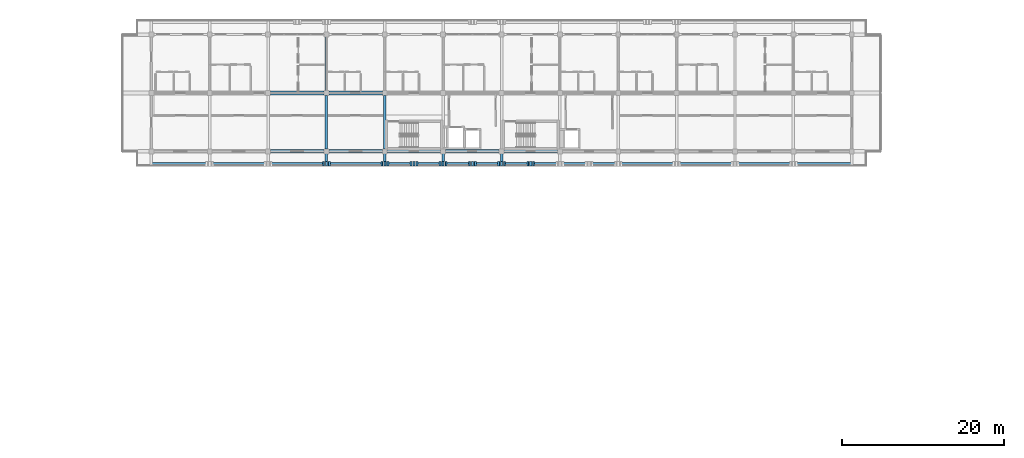
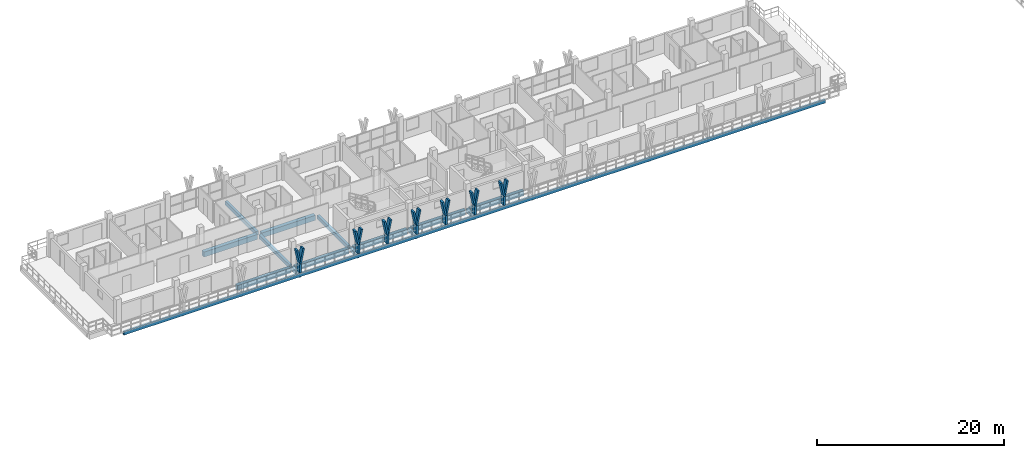
# One storey, part 10 of 65: 21 members, 15 beams.
"""IFC4 building model written with IfcOpenShell, lengths in metres."""

from ifc_helpers import new_model, si_unit, direction, frame, origin, origin_2d, place, context, subcontext, project, spatial, rectangle, extrude, material, material_profile, profile_set, type_object, element, save


model = new_model("IFC4")

# Units and contexts
model_context = context("Model", 3, precision=1e-05, world=origin(), true_north=direction((0.0, 1.0)))
body_context = subcontext(model_context, "Body", "Model", "MODEL_VIEW")
ifc_project = project(units=[si_unit("LENGTHUNIT", "METRE"), si_unit("AREAUNIT", "SQUARE_METRE"), si_unit("VOLUMEUNIT", "CUBIC_METRE"), si_unit("PLANEANGLEUNIT", "RADIAN"), si_unit("MASSUNIT", "GRAM", prefix="KILO")], contexts=[model_context])

# Site, building, storey
site_placement = place(None, origin())
site = spatial("IfcSite", under=ifc_project, at=site_placement, CompositionType="ELEMENT")
building_placement = place(site_placement, origin())
building = spatial("IfcBuilding", under=site, at=building_placement, Name="Suanplinth Sawtooth Commons", CompositionType="ELEMENT")
storey_placement = place(building_placement, frame((0.0, 0.0, 28.300048828125)))
storey = spatial("IfcBuildingStorey", under=building, at=storey_placement, Name="L08", CompositionType="ELEMENT", Elevation=28.300048828125)

# Beams
ifc_material_1 = material(Name="Precast concrete C40/50", Category="concrete")
ifc_material_profile_1 = material_profile(ifc_material_1, rectangle(XDim=0.449951171875, YDim=0.64990234375, at=origin_2d()), Name="PC-GDR 450x650")
ifc_profile_set_1 = profile_set([ifc_material_profile_1], Name="Precast concrete C40/50")
beam_type_1 = type_object("IfcBeamType", Name="B-04", PredefinedType="USERDEFINED", material=ifc_profile_set_1)
for number, where, z_axis, x_axis, name in (
    (1, (29.10009765625, 108.0, -0.53515625), (1.0, 0.0, 0.0), (0.0, 1.0, 0.0), "BMX-L08-A-4-15"),
    (2, (29.10009765625, 115.199951171875, -0.53515625), (1.0, 0.0, 0.0), (0.0, 1.0, 0.0), "BMX-L08-A-4-16"),
    (3, (36.300048828125, 108.0, -0.53515625), (1.0, 0.0, 0.0), (0.0, 1.0, 0.0), "BMX-L08-A-5-15"),
    (4, (36.300048828125, 115.199951171875, -0.53515625), (1.0, 0.0, 0.0), (0.0, 1.0, 0.0), "BMX-L08-A-5-16"),
):
    element("IfcBeam", number, at=place(storey_placement, frame(where, z_axis=z_axis, x_axis=x_axis)), inside=storey, type_object=beam_type_1, Name=name, ObjectType="GIRDER", PredefinedType="USERDEFINED", context=body_context, shape_type="SweptSolid", body=[
        extrude(rectangle(XDim=0.449951171875, YDim=0.64990234375, at=origin_2d()), origin(), (0.0, 0.0, 1.0), 6.599853515625),
    ])
for number, where, z_axis, x_axis, name in (
    (5, (43.5, 108.0, -0.53515625), (1.0, 0.0, 0.0), (0.0, 1.0, 0.0), "BMX-L08-A-6-15"),
    (6, (50.699951171875, 108.0, -0.53515625), (1.0, 0.0, 0.0), (0.0, 1.0, 0.0), "BMX-L08-A-7-15"),
    (7, (57.89990234375, 108.0, -0.53515625), (1.0, 0.0, 0.0), (0.0, 1.0, 0.0), "BMX-L08-A-8-15"),
):
    element("IfcBeam", number, at=place(storey_placement, frame(where, z_axis=z_axis, x_axis=x_axis)), inside=storey, type_object=beam_type_1, Name=name, ObjectType="GIRDER", PredefinedType="USERDEFINED", context=body_context, shape_type="SweptSolid", body=[
        extrude(rectangle(XDim=0.449951171875, YDim=0.64990234375, at=origin_2d()), origin(), (0.0, 0.0, 1.0), 6.60009765625),
    ])
ifc_material_profile_2 = material_profile(ifc_material_1, rectangle(XDim=0.300048828125, YDim=0.5, at=origin_2d()), Name="PC-BM 300x500")
ifc_profile_set_2 = profile_set([ifc_material_profile_2], Name="Precast concrete C40/50")
beam_type_2 = type_object("IfcBeamType", Name="B-07", PredefinedType="BEAM", material=ifc_profile_set_2)
beam_1_placement = place(storey_placement, frame((36.0, 108.300048828125, -0.4599609375), z_axis=(0.0, 1.0, 0.0), x_axis=(-1.0, 0.0, 0.0)))
element("IfcBeam", 8, at=beam_1_placement, inside=storey, type_object=beam_type_2, Name="BMY-L08-A-5-15", PredefinedType="BEAM", context=body_context, shape_type="SweptSolid", body=[
    extrude(rectangle(XDim=0.300048828125, YDim=0.5, at=origin_2d()), origin(), (0.0, 0.0, 1.0), 6.599853515625),
])
beam_2_placement = place(storey_placement, frame((36.0, 115.5, -0.4599609375), z_axis=(0.0, 1.0, 0.0), x_axis=(-1.0, 0.0, 0.0)))
element("IfcBeam", 9, at=beam_2_placement, inside=storey, type_object=beam_type_2, Name="BMY-L08-A-5-16", PredefinedType="BEAM", context=body_context, shape_type="SweptSolid", body=[
    extrude(rectangle(XDim=0.300048828125, YDim=0.5, at=origin_2d()), origin(), (0.0, 0.0, 1.0), 6.60009765625),
])
beam_3_placement = place(storey_placement, frame((43.199951171875, 108.300048828125, -0.4599609375), z_axis=(0.0, 1.0, 0.0), x_axis=(-1.0, 0.0, 0.0)))
element("IfcBeam", 10, at=beam_3_placement, inside=storey, type_object=beam_type_2, Name="BMY-L08-A-6-15", PredefinedType="BEAM", context=body_context, shape_type="SweptSolid", body=[
    extrude(rectangle(XDim=0.300048828125, YDim=0.5, at=origin_2d()), origin(), (0.0, 0.0, 1.0), 6.599853515625),
])
for number, where, z_axis, x_axis, name in (
    (11, (36.0, 108.0, -0.429931640625), (0.0, -1.0, 0.0), (1.0, 0.0, 0.0), "Balcony Outrigger L08-A-S-5"),
    (12, (43.199951171875, 108.0, -0.429931640625), (0.0, -1.0, 0.0), (1.0, 0.0, 0.0), "Balcony Outrigger L08-A-S-6"),
    (13, (50.39990234375, 108.0, -0.429931640625), (0.0, -1.0, 0.0), (1.0, 0.0, 0.0), "Balcony Outrigger L08-A-S-7"),
    (14, (57.60009765625, 108.0, -0.429931640625), (0.0, -1.0, 0.0), (1.0, 0.0, 0.0), "Balcony Outrigger L08-A-S-8"),
):
    element("IfcBeam", number, at=place(storey_placement, frame(where, z_axis=z_axis, x_axis=x_axis)), inside=storey, type_object=beam_type_2, Name=name, PredefinedType="BEAM", context=body_context, shape_type="SweptSolid", body=[
        extrude(rectangle(XDim=0.300048828125, YDim=0.5, at=origin_2d()), origin(), (0.0, 0.0, 1.0), 1.639892578125),
    ])
ifc_material_profile_3 = material_profile(ifc_material_1, rectangle(XDim=0.25, YDim=0.449951171875, at=origin_2d()), Name="PC-SP 250x450")
ifc_profile_set_3 = profile_set([ifc_material_profile_3], Name="Precast concrete C40/50")
beam_type_3 = type_object("IfcBeamType", Name="B-09", PredefinedType="SPANDREL", material=ifc_profile_set_3)
beam_4_placement = place(storey_placement, frame((14.25, 106.47998046875, -0.405029296875), z_axis=(1.0, 0.0, 0.0), x_axis=(0.0, 1.0, 0.0)))
element("IfcBeam", 15, at=beam_4_placement, inside=storey, type_object=beam_type_3, Name="Balcony Edge Fascia L08-A-S", PredefinedType="SPANDREL", context=body_context, shape_type="SweptSolid", body=[
    extrude(rectangle(XDim=0.25, YDim=0.449951171875, at=origin_2d()), origin(), (0.0, 0.0, 1.0), 86.699951171875),
])

# Members
ifc_material_2 = material(Name="Pigmented precast concrete C40/50", Category="concrete")
ifc_material_profile_4 = material_profile(ifc_material_2, rectangle(XDim=0.260009765625, YDim=0.550048828125, at=origin_2d()), Name="PC-FIN 260x550")
ifc_profile_set_4 = profile_set([ifc_material_profile_4], Name="Pigmented precast concrete C40/50")
member_type_1 = type_object("IfcMemberType", Name="M-09", PredefinedType="USERDEFINED", material=ifc_profile_set_4)
for number, where, z_axis, x_axis, name in (
    (16, (36.0, 106.47998046875, 0.0), (0.0, 0.0, 1.0), (1.0, 0.0, 0.0), "Y-Blade Stem L08-A-S-09"),
    (17, (43.199951171875, 106.47998046875, 0.0), (0.0, 0.0, 1.0), (1.0, 0.0, 0.0), "Y-Blade Stem L08-A-S-10"),
    (18, (46.800048828125, 106.47998046875, 0.0), (0.0, 0.0, 1.0), (1.0, 0.0, 0.0), "Y-Blade Stem L08-A-S-11"),
    (19, (50.39990234375, 106.47998046875, 0.0), (0.0, 0.0, 1.0), (1.0, 0.0, 0.0), "Y-Blade Stem L08-A-S-12"),
    (20, (54.0, 106.47998046875, 0.0), (0.0, 0.0, 1.0), (1.0, 0.0, 0.0), "Y-Blade Stem L08-A-S-13"),
    (21, (57.60009765625, 106.47998046875, 0.0), (0.0, 0.0, 1.0), (1.0, 0.0, 0.0), "Y-Blade Stem L08-A-S-14"),
    (22, (61.199951171875, 106.47998046875, 0.0), (0.0, 0.0, 1.0), (1.0, 0.0, 0.0), "Y-Blade Stem L08-A-S-15"),
):
    element("IfcMember", number, at=place(storey_placement, frame(where, z_axis=z_axis, x_axis=x_axis)), inside=storey, type_object=member_type_1, Name=name, ObjectType="SHADING FIN", PredefinedType="USERDEFINED", context=body_context, shape_type="SweptSolid", body=[
        extrude(rectangle(XDim=0.260009765625, YDim=0.550048828125, at=origin_2d()), origin(), (0.0, 0.0, 1.0), 1.169921875),
    ])
ifc_material_profile_5 = material_profile(ifc_material_2, rectangle(XDim=0.219970703125, YDim=0.550048828125, at=origin_2d()), Name="PC-FIN 220x550")
ifc_profile_set_5 = profile_set([ifc_material_profile_5], Name="Pigmented precast concrete C40/50")
member_type_2 = type_object("IfcMemberType", Name="M-10", PredefinedType="USERDEFINED", material=ifc_profile_set_5)
for number, where, z_axis, x_axis, name in (
    (23, (36.0, 106.47998046875, 1.1298828125), (-0.196406855569, 0.0, 0.980522486782), (0.980522486782, 0.0, 0.196406855569), "Y-Blade Arm L L08-A-S-09"),
    (24, (36.0, 106.47998046875, 1.1298828125), (0.196406855569, 0.0, 0.980522486782), (-0.980522486782, 0.0, 0.196406855569), "Y-Blade Arm R L08-A-S-09"),
):
    element("IfcMember", number, at=place(storey_placement, frame(where, z_axis=z_axis, x_axis=x_axis)), inside=storey, type_object=member_type_2, Name=name, ObjectType="SHADING FIN", PredefinedType="USERDEFINED", context=body_context, shape_type="SweptSolid", body=[
        extrude(rectangle(XDim=0.219970703125, YDim=0.550048828125, at=origin_2d()), origin(), (0.0, 0.0, 1.0), 1.93798828125),
    ])
member_1_placement = place(storey_placement, frame((43.199951171875, 106.47998046875, 1.1298828125), z_axis=(-0.196285728346, 0.0, 0.980546741796), x_axis=(0.980546741796, 0.0, 0.196285728346)))
element("IfcMember", 25, at=member_1_placement, inside=storey, type_object=member_type_2, Name="Y-Blade Arm L L08-A-S-10", ObjectType="SHADING FIN", PredefinedType="USERDEFINED", context=body_context, shape_type="SweptSolid", body=[
    extrude(rectangle(XDim=0.219970703125, YDim=0.550048828125, at=origin_2d()), origin(), (0.0, 0.0, 1.0), 1.937744140625),
])
for number, where, z_axis, x_axis, name in (
    (26, (43.199951171875, 106.47998046875, 1.1298828125), (0.196406855569, 0.0, 0.980522486782), (-0.980522486782, 0.0, 0.196406855569), "Y-Blade Arm R L08-A-S-10"),
    (27, (46.800048828125, 106.47998046875, 1.1298828125), (-0.196406855569, 0.0, 0.980522486782), (0.980522486782, 0.0, 0.196406855569), "Y-Blade Arm L L08-A-S-11"),
):
    element("IfcMember", number, at=place(storey_placement, frame(where, z_axis=z_axis, x_axis=x_axis)), inside=storey, type_object=member_type_2, Name=name, ObjectType="SHADING FIN", PredefinedType="USERDEFINED", context=body_context, shape_type="SweptSolid", body=[
        extrude(rectangle(XDim=0.219970703125, YDim=0.550048828125, at=origin_2d()), origin(), (0.0, 0.0, 1.0), 1.93798828125),
    ])
for number, where, z_axis, x_axis, name in (
    (28, (46.800048828125, 106.47998046875, 1.1298828125), (0.196285728346, 0.0, 0.980546741796), (-0.980546741796, 0.0, 0.196285728346), "Y-Blade Arm R L08-A-S-11"),
    (29, (50.39990234375, 106.47998046875, 1.1298828125), (-0.196285728346, 0.0, 0.980546741796), (0.980546741796, 0.0, 0.196285728346), "Y-Blade Arm L L08-A-S-12"),
):
    element("IfcMember", number, at=place(storey_placement, frame(where, z_axis=z_axis, x_axis=x_axis)), inside=storey, type_object=member_type_2, Name=name, ObjectType="SHADING FIN", PredefinedType="USERDEFINED", context=body_context, shape_type="SweptSolid", body=[
        extrude(rectangle(XDim=0.219970703125, YDim=0.550048828125, at=origin_2d()), origin(), (0.0, 0.0, 1.0), 1.937744140625),
    ])
for number, where, z_axis, x_axis, name in (
    (30, (50.39990234375, 106.47998046875, 1.1298828125), (0.196406855569, 0.0, 0.980522486782), (-0.980522486782, 0.0, 0.196406855569), "Y-Blade Arm R L08-A-S-12"),
    (31, (54.0, 106.47998046875, 1.1298828125), (-0.196406855569, 0.0, 0.980522486782), (0.980522486782, 0.0, 0.196406855569), "Y-Blade Arm L L08-A-S-13"),
    (32, (54.0, 106.47998046875, 1.1298828125), (0.196406855569, 0.0, 0.980522486782), (-0.980522486782, 0.0, 0.196406855569), "Y-Blade Arm R L08-A-S-13"),
    (33, (57.60009765625, 106.47998046875, 1.1298828125), (-0.196406855569, 0.0, 0.980522486782), (0.980522486782, 0.0, 0.196406855569), "Y-Blade Arm L L08-A-S-14"),
):
    element("IfcMember", number, at=place(storey_placement, frame(where, z_axis=z_axis, x_axis=x_axis)), inside=storey, type_object=member_type_2, Name=name, ObjectType="SHADING FIN", PredefinedType="USERDEFINED", context=body_context, shape_type="SweptSolid", body=[
        extrude(rectangle(XDim=0.219970703125, YDim=0.550048828125, at=origin_2d()), origin(), (0.0, 0.0, 1.0), 1.93798828125),
    ])
for number, where, z_axis, x_axis, name in (
    (34, (57.60009765625, 106.47998046875, 1.1298828125), (0.196285728346, 0.0, 0.980546741796), (-0.980546741796, 0.0, 0.196285728346), "Y-Blade Arm R L08-A-S-14"),
    (35, (61.199951171875, 106.47998046875, 1.1298828125), (-0.196285728346, 0.0, 0.980546741796), (0.980546741796, 0.0, 0.196285728346), "Y-Blade Arm L L08-A-S-15"),
):
    element("IfcMember", number, at=place(storey_placement, frame(where, z_axis=z_axis, x_axis=x_axis)), inside=storey, type_object=member_type_2, Name=name, ObjectType="SHADING FIN", PredefinedType="USERDEFINED", context=body_context, shape_type="SweptSolid", body=[
        extrude(rectangle(XDim=0.219970703125, YDim=0.550048828125, at=origin_2d()), origin(), (0.0, 0.0, 1.0), 1.937744140625),
    ])
member_2_placement = place(storey_placement, frame((61.199951171875, 106.47998046875, 1.1298828125), z_axis=(0.196406855569, 0.0, 0.980522486782), x_axis=(-0.980522486782, 0.0, 0.196406855569)))
element("IfcMember", 36, at=member_2_placement, inside=storey, type_object=member_type_2, Name="Y-Blade Arm R L08-A-S-15", ObjectType="SHADING FIN", PredefinedType="USERDEFINED", context=body_context, shape_type="SweptSolid", body=[
    extrude(rectangle(XDim=0.219970703125, YDim=0.550048828125, at=origin_2d()), origin(), (0.0, 0.0, 1.0), 1.93798828125),
])

save(model, "model.ifc")
